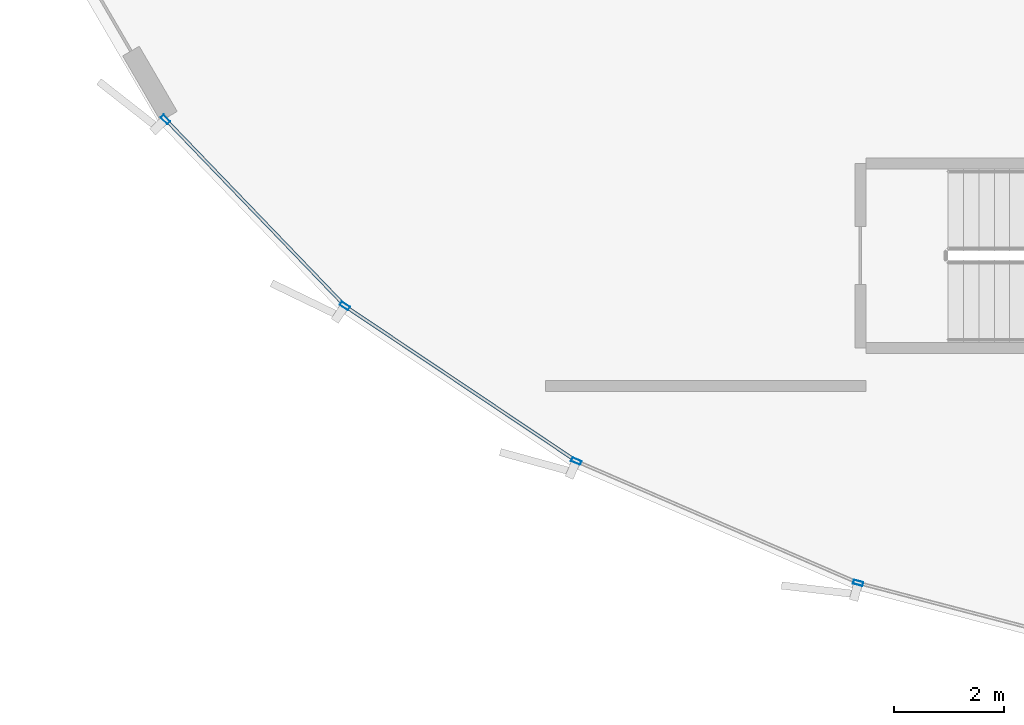
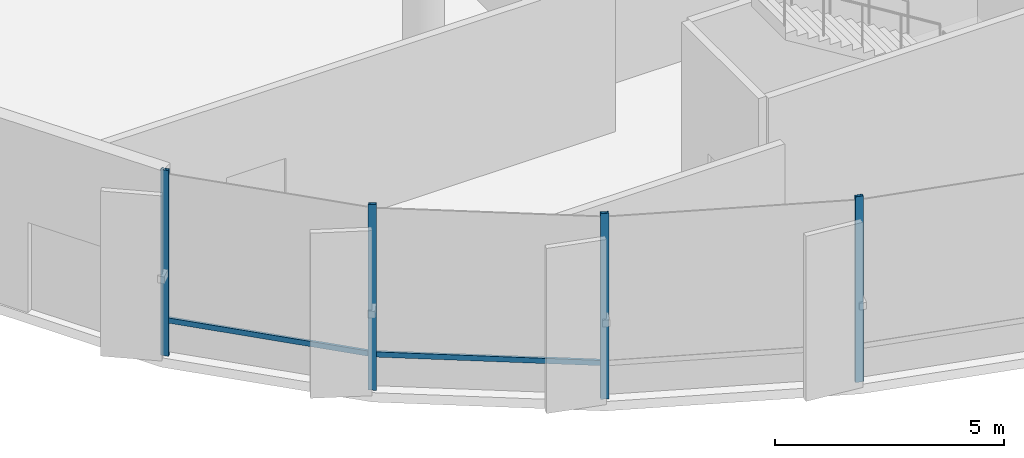
# One storey, part 2 of 35: 6 members, 1 element without a shape of its own.
"""IFC4 building model written with IfcOpenShell, lengths in metres."""

from ifc_helpers import new_model, si_unit, direction, frame, origin, origin_2d, place, context, subcontext, project, spatial, hollow_rectangle, extrude, source, transform, mapped, material, layer, layer_set, material_profile, profile_set, type_object, element, aggregate, save


model = new_model("IFC4")

# Units and contexts
model_context = context("Model", 3, precision=1e-05, world=origin(), true_north=direction((0.0, 1.0)))
body_context = subcontext(model_context, "Body", "Model", "MODEL_VIEW")
ifc_project = project(units=[si_unit("LENGTHUNIT", "METRE"), si_unit("AREAUNIT", "SQUARE_METRE"), si_unit("VOLUMEUNIT", "CUBIC_METRE"), si_unit("PLANEANGLEUNIT", "RADIAN"), si_unit("MASSUNIT", "GRAM", prefix="KILO"), si_unit("THERMODYNAMICTEMPERATUREUNIT", "KELVIN")], contexts=[model_context])

# Site, building, storey
site_placement = place(None, origin())
site = spatial("IfcSite", under=ifc_project, at=site_placement, CompositionType="ELEMENT")
building_placement = place(site_placement, origin())
building = spatial("IfcBuilding", under=site, at=building_placement, Name="Kethvar Cultural Tower", CompositionType="ELEMENT")
storey_placement = place(building_placement, origin())
storey = spatial("IfcBuildingStorey", under=building, at=storey_placement, Name="L00", CompositionType="ELEMENT", Elevation=0.0)

# Curtain wall, members
ifc_material = material(Name="Aluminium 6063-T6", Category="aluminium")
ifc_layer = layer(ifc_material, 0.179931640625, Name="Aluminium 6063-T6", Category="aluminium")
ifc_layer_set = layer_set([ifc_layer], Name="Aluminium 6063-T6 (180 mm)")
curtain_wall_type = type_object("IfcCurtainWallType", Name="CW-SYS-01-POD", PredefinedType="NOTDEFINED", material=ifc_layer_set)
curtain_wall_placement = place(storey_placement, origin())
curtain_wall = element("IfcCurtainWall", 1, at=curtain_wall_placement, inside=storey, type_object=curtain_wall_type, Name="L00 Curtain Wall Run 03", PredefinedType="NOTDEFINED")
ifc_material_profile_1 = material_profile(ifc_material, hollow_rectangle(XDim=0.074951171875, YDim=0.179931640625, WallThickness=0.006103515625, at=origin_2d()), Name="Aluminium 6063-T6 — RHS180x75x6")
ifc_profile_set_1 = profile_set([ifc_material_profile_1], Name="Aluminium 6063-T6 — RHS180x75x6")
member_type_1 = type_object("IfcMemberType", Name="CW-SYS-01-POD-MUL", PredefinedType="MULLION", material=ifc_profile_set_1)
shared_shape_1 = source(origin(), body_context, "Body", "SweptSolid", [
    extrude(hollow_rectangle(XDim=0.074951171875, YDim=0.179931640625, WallThickness=0.006103515625, at=origin_2d()), origin(), (0.0, 0.0, 1.0), 4.949951171875),
])
member_1_placement = place(storey_placement, frame((5.242919921875, 11.6611328125, 0.0), z_axis=(0.0, 0.0, 1.0), x_axis=(0.720611619661, 0.693338945689, 0.0)))
member_1 = element("IfcMember", 2, at=member_1_placement, type_object=member_type_1, Name="CW-L00-R03 Mullion 1", PredefinedType="MULLION", context=body_context, shape_type="MappedRepresentation", body=[
    mapped(shared_shape_1, transform((0.0, 0.0, 0.0), scale=1.0)),
])
member_2_placement = place(storey_placement, frame((8.50927734375, 8.26220703125, 0.0), z_axis=(0.0, 0.0, 1.0), x_axis=(0.556556649514, 0.830809662848, 0.0)))
member_2 = element("IfcMember", 3, at=member_2_placement, type_object=member_type_1, Name="CW-L00-R03 Mullion 2", PredefinedType="MULLION", context=body_context, shape_type="MappedRepresentation", body=[
    mapped(shared_shape_1, transform((0.0, 0.0, 0.0), scale=1.0)),
])
member_3_placement = place(storey_placement, frame((12.72509765625, 5.435302734375, 0.0), z_axis=(0.0, 0.0, 1.0), x_axis=(0.396410942082, 0.918073180633, 0.0)))
member_3 = element("IfcMember", 4, at=member_3_placement, type_object=member_type_1, Name="CW-L00-R03 Mullion 3", PredefinedType="MULLION", context=body_context, shape_type="MappedRepresentation", body=[
    mapped(shared_shape_1, transform((0.0, 0.0, 0.0), scale=1.0)),
])
member_4_placement = place(storey_placement, frame((17.859619140625, 3.216796875, 0.0), z_axis=(0.0, 0.0, 1.0), x_axis=(0.253031946887, 0.967457923558, 0.0)))
member_4 = element("IfcMember", 5, at=member_4_placement, type_object=member_type_1, Name="CW-L00-R03 Mullion 4", PredefinedType="MULLION", context=body_context, shape_type="MappedRepresentation", body=[
    mapped(shared_shape_1, transform((0.0, 0.0, 0.0), scale=1.0)),
])
ifc_material_profile_2 = material_profile(ifc_material, hollow_rectangle(XDim=0.06005859375, YDim=0.139892578125, WallThickness=0.0048828125, at=origin_2d()), Name="Aluminium 6063-T6 — RHS140x60x5")
ifc_profile_set_2 = profile_set([ifc_material_profile_2], Name="Aluminium 6063-T6 — RHS140x60x5")
member_type_2 = type_object("IfcMemberType", Name="CW-SYS-01-POD-TRN", PredefinedType="USERDEFINED", material=ifc_profile_set_2)
shared_shape_2 = source(origin(), body_context, "Body", "SweptSolid", [
    extrude(hollow_rectangle(XDim=0.06005859375, YDim=0.139892578125, WallThickness=0.0048828125, at=origin_2d()), origin(), (0.0, 0.0, 1.0), 4.6826171875),
])
member_5_placement = place(storey_placement, frame((5.24658203125, 11.657470703125, 0.949951171875), z_axis=(0.693341040309, -0.72060960431, 0.0), x_axis=(0.72060960431, 0.693341040309, 0.0)))
member_5 = element("IfcMember", 6, at=member_5_placement, type_object=member_type_2, Name="CW-L00-R03 Transom 1", ObjectType="TRANSOM", PredefinedType="USERDEFINED", context=body_context, shape_type="MappedRepresentation", body=[
    mapped(shared_shape_2, transform((0.0, 0.0, 0.0), scale=1.0)),
])
shared_shape_3 = source(origin(), body_context, "Body", "SweptSolid", [
    extrude(hollow_rectangle(XDim=0.06005859375, YDim=0.139892578125, WallThickness=0.0048828125, at=origin_2d()), origin(), (0.0, 0.0, 1.0), 4.991455078125),
])
member_6_placement = place(storey_placement, frame((8.55419921875, 8.232177734375, 0.949951171875), z_axis=(0.830806616573, -0.556561196867, 0.0), x_axis=(0.556561196867, 0.830806616573, 0.0)))
member_6 = element("IfcMember", 7, at=member_6_placement, type_object=member_type_2, Name="CW-L00-R03 Transom 2", ObjectType="TRANSOM", PredefinedType="USERDEFINED", context=body_context, shape_type="MappedRepresentation", body=[
    mapped(shared_shape_3, transform((0.0, 0.0, 0.0), scale=1.0)),
])
aggregate(curtain_wall, [member_1, member_2, member_3, member_4, member_5, member_6])

save(model, "model.ifc")
